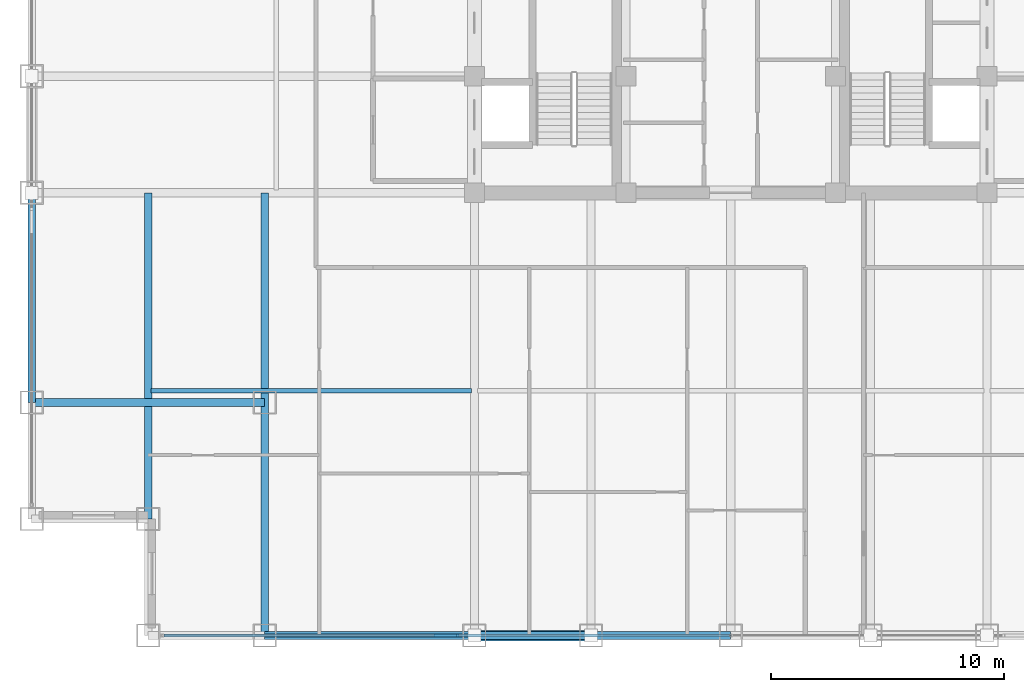
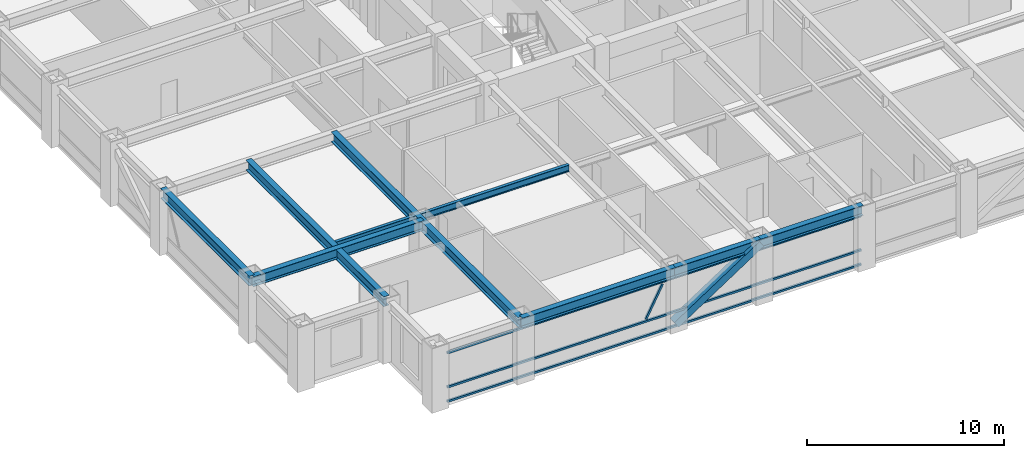
# One storey, part 3 of 24: 8 beams, 5 members, 1 element without a shape of its own.
"""IFC4 building model written with IfcOpenShell, lengths in metres."""

from ifc_helpers import new_model, si_unit, direction, frame, origin, origin_2d, place, context, subcontext, project, spatial, hollow_rectangle, i_section, extrude, source, transform, mapped, material, material_profile, profile_set, type_object, element, aggregate, save


model = new_model("IFC4")

# Units and contexts
model_context = context("Model", 3, precision=1e-05, world=origin(), true_north=direction((0.0, 1.0)))
body_context = subcontext(model_context, "Body", "Model", "MODEL_VIEW")
ifc_project = project(units=[si_unit("LENGTHUNIT", "METRE"), si_unit("AREAUNIT", "SQUARE_METRE"), si_unit("VOLUMEUNIT", "CUBIC_METRE"), si_unit("PLANEANGLEUNIT", "RADIAN"), si_unit("MASSUNIT", "GRAM", prefix="KILO")], contexts=[model_context])

# Site, building, storey
site_placement = place(None, origin())
site = spatial("IfcSite", under=ifc_project, at=site_placement, CompositionType="ELEMENT")
building_placement = place(site_placement, origin())
building = spatial("IfcBuilding", under=site, at=building_placement, Name="Khorayat Bourse Tower", CompositionType="ELEMENT")
storey_placement = place(building_placement, frame((0.0, 0.0, 219.10009765625)))
storey = spatial("IfcBuildingStorey", under=building, at=storey_placement, Name="L51", CompositionType="ELEMENT", Elevation=219.10009765625)

# Beams
ifc_material_1 = material(Name="Steel ASTM A992 Grade 50", Category="steel")
ifc_material_profile_1 = material_profile(ifc_material_1, i_section(OverallWidth=0.324951171875, OverallDepth=0.615966796875, WebThickness=0.013916015625, FlangeThickness=0.021484375, FilletRadius=0.01611328125, at=origin_2d()), Name="W610X174")
ifc_profile_set_1 = profile_set([ifc_material_profile_1], Name="Steel ASTM A992 Grade 50")
beam_type_1 = type_object("IfcBeamType", Name="BM-GIRD-610", PredefinedType="BEAM", material=ifc_profile_set_1)
shared_shape_1 = source(origin(), body_context, "Body", "SweptSolid", [
    extrude(i_section(OverallWidth=0.324951171875, OverallDepth=0.615966796875, WebThickness=0.013916015625, FlangeThickness=0.021484375, FilletRadius=0.01611328125, at=origin_2d()), origin(), (0.0, 0.0, 1.0), 19.0),
])
beam_1_placement = place(storey_placement, frame((-20.0, -30.0, 3.471923828125), z_axis=(0.0, 1.0, 0.0), x_axis=(-1.0, 0.0, 0.0)))
element("IfcBeam", 1, at=beam_1_placement, inside=storey, type_object=beam_type_1, Name="L51 BM-GIRD-610 BM-L51-CNRY-084", PredefinedType="BEAM", context=body_context, shape_type="MappedRepresentation", body=[
    mapped(shared_shape_1, transform((0.0, 0.0, 0.0), scale=1.0)),
])
shared_shape_2 = source(origin(), body_context, "Body", "SweptSolid", [
    extrude(i_section(OverallWidth=0.324951171875, OverallDepth=0.615966796875, WebThickness=0.013916015625, FlangeThickness=0.021484375, FilletRadius=0.01611328125, at=origin_2d()), origin(), (0.0, 0.0, 1.0), 10.0),
])
beam_2_placement = place(storey_placement, frame((-30.0, -20.0, 3.471923828125), z_axis=(1.0, 0.0, 0.0), x_axis=(0.0, 1.0, 0.0)))
element("IfcBeam", 2, at=beam_2_placement, inside=storey, type_object=beam_type_1, Name="L51 BM-GIRD-610 BM-L51-CNRX-093", PredefinedType="BEAM", context=body_context, shape_type="MappedRepresentation", body=[
    mapped(shared_shape_2, transform((0.0, 0.0, 0.0), scale=1.0)),
])
ifc_material_profile_2 = material_profile(ifc_material_1, i_section(OverallWidth=0.324951171875, OverallDepth=0.615966796875, WebThickness=0.013916015625, FlangeThickness=0.021484375, FilletRadius=0.01611328125, at=origin_2d()), Name="W610X174")
ifc_profile_set_2 = profile_set([ifc_material_profile_2], Name="Steel ASTM A992 Grade 50")
beam_type_2 = type_object("IfcBeamType", Name="BM-SPAN-610", PredefinedType="SPANDREL", material=ifc_profile_set_2)
shared_shape_3 = source(origin(), body_context, "Body", "SweptSolid", [
    extrude(i_section(OverallWidth=0.324951171875, OverallDepth=0.615966796875, WebThickness=0.013916015625, FlangeThickness=0.021484375, FilletRadius=0.01611328125, at=origin_2d()), origin(), (0.0, 0.0, 1.0), 9.0),
])
for number, where, z_axis, x_axis, name in (
    (3, (-20.0, -30.0, 3.471923828125), (1.0, 0.0, 0.0), (0.0, 1.0, 0.0), "L51 BM-SPAN-610 BM-L51-SPN-025"),
    (4, (-30.0, -20.0, 3.471923828125), (0.0, 1.0, 0.0), (-1.0, 0.0, 0.0), "L51 BM-SPAN-610 BM-L51-SPN-060"),
):
    element("IfcBeam", number, at=place(storey_placement, frame(where, z_axis=z_axis, x_axis=x_axis)), inside=storey, type_object=beam_type_2, Name=name, PredefinedType="SPANDREL", context=body_context, shape_type="MappedRepresentation", body=[
        mapped(shared_shape_3, transform((0.0, 0.0, 0.0), scale=1.0)),
    ])
shared_shape_4 = source(origin(), body_context, "Body", "SweptSolid", [
    extrude(i_section(OverallWidth=0.324951171875, OverallDepth=0.615966796875, WebThickness=0.013916015625, FlangeThickness=0.021484375, FilletRadius=0.01611328125, at=origin_2d()), origin(), (0.0, 0.0, 1.0), 5.0),
])
beam_3_placement = place(storey_placement, frame((-11.0, -30.0, 3.471923828125), z_axis=(1.0, 0.0, 0.0), x_axis=(0.0, 1.0, 0.0)))
element("IfcBeam", 5, at=beam_3_placement, inside=storey, type_object=beam_type_2, Name="L51 BM-SPAN-610 BM-L51-SPN-026", PredefinedType="SPANDREL", context=body_context, shape_type="MappedRepresentation", body=[
    mapped(shared_shape_4, transform((0.0, 0.0, 0.0), scale=1.0)),
])
shared_shape_5 = source(origin(), body_context, "Body", "SweptSolid", [
    extrude(i_section(OverallWidth=0.324951171875, OverallDepth=0.615966796875, WebThickness=0.013916015625, FlangeThickness=0.021484375, FilletRadius=0.01611328125, at=origin_2d()), origin(), (0.0, 0.0, 1.0), 6.0),
])
beam_4_placement = place(storey_placement, frame((-6.0, -30.0, 3.471923828125), z_axis=(1.0, 0.0, 0.0), x_axis=(0.0, 1.0, 0.0)))
element("IfcBeam", 6, at=beam_4_placement, inside=storey, type_object=beam_type_2, Name="L51 BM-SPAN-610 BM-L51-SPN-027", PredefinedType="SPANDREL", context=body_context, shape_type="MappedRepresentation", body=[
    mapped(shared_shape_5, transform((0.0, 0.0, 0.0), scale=1.0)),
])
shared_shape_6 = source(origin(), body_context, "Body", "SweptSolid", [
    extrude(i_section(OverallWidth=0.324951171875, OverallDepth=0.615966796875, WebThickness=0.013916015625, FlangeThickness=0.021484375, FilletRadius=0.01611328125, at=origin_2d()), origin(), (0.0, 0.0, 1.0), 14.0),
])
beam_5_placement = place(storey_placement, frame((-25.0, -25.0, 3.471923828125), z_axis=(0.0, 1.0, 0.0), x_axis=(-1.0, 0.0, 0.0)))
element("IfcBeam", 7, at=beam_5_placement, inside=storey, type_object=beam_type_1, Name="L51 BM-GIRD-610 BM-L51-CNRY-088", PredefinedType="BEAM", context=body_context, shape_type="MappedRepresentation", body=[
    mapped(shared_shape_6, transform((0.0, 0.0, 0.0), scale=1.0)),
])
ifc_material_profile_3 = material_profile(ifc_material_1, i_section(OverallWidth=0.180908203125, OverallDepth=0.4169921875, WebThickness=0.010986328125, FlangeThickness=0.018310546875, FilletRadius=0.011962890625, at=origin_2d()), Name="W410X85")
ifc_profile_set_3 = profile_set([ifc_material_profile_3], Name="Steel ASTM A992 Grade 50")
beam_type_3 = type_object("IfcBeamType", Name="BM-JOIST-410", PredefinedType="JOIST", material=ifc_profile_set_3)
shared_shape_7 = source(origin(), body_context, "Body", "SweptSolid", [
    extrude(i_section(OverallWidth=0.180908203125, OverallDepth=0.4169921875, WebThickness=0.010986328125, FlangeThickness=0.018310546875, FilletRadius=0.011962890625, at=origin_2d()), origin(), (0.0, 0.0, 1.0), 13.740234375),
])
beam_6_placement = place(storey_placement, frame((-24.8701171875, -19.5, 3.5712890625), z_axis=(1.0, 0.0, 0.0), x_axis=(0.0, 1.0, 0.0)))
element("IfcBeam", 8, at=beam_6_placement, inside=storey, type_object=beam_type_3, Name="L51 BM-JOIST-410 BM-L51-JSTX-096", PredefinedType="JOIST", context=body_context, shape_type="MappedRepresentation", body=[
    mapped(shared_shape_7, transform((0.0, 0.0, 0.0), scale=1.0)),
])

# Member
ifc_material_2 = material(Name="Steel EN 10025-4 S460M", Category="steel")
ifc_material_profile_4 = material_profile(ifc_material_2, hollow_rectangle(XDim=0.449951171875, YDim=0.449951171875, WallThickness=0.02490234375, at=origin_2d()), Name="HSS 450x450x25")
ifc_profile_set_4 = profile_set([ifc_material_profile_4], Name="Steel EN 10025-4 S460M")
member_type_1 = type_object("IfcMemberType", Name="MBR-TUBE-450", PredefinedType="BRACE", material=ifc_profile_set_4)
shared_shape_8 = source(origin(), body_context, "Body", "SweptSolid", [
    extrude(hollow_rectangle(XDim=0.449951171875, YDim=0.449951171875, WallThickness=0.02490234375, at=origin_2d()), origin(), (0.0, 0.0, 1.0), 5.979736328125),
])
member_1_placement = place(storey_placement, frame((-11.0, -30.0, 0.25), z_axis=(0.836160261256, 0.0, 0.548485202623), x_axis=(0.0, 1.0, 0.0)))
element("IfcMember", 9, at=member_1_placement, inside=storey, type_object=member_type_1, Name="L51 Perimeter Tube Brace 01", PredefinedType="BRACE", context=body_context, shape_type="MappedRepresentation", body=[
    mapped(shared_shape_8, transform((0.0, 0.0, 0.0), scale=1.0)),
])

# Curtain wall, members
ifc_material_3 = material(Name="Aluminium EN AW-6063 T6", Category="aluminium")
curtain_wall_type = type_object("IfcCurtainWallType", Name="CW-SYS-03", PredefinedType="NOTDEFINED", material=ifc_material_3)
curtain_wall_placement = place(storey_placement, origin())
curtain_wall = element("IfcCurtainWall", 10, at=curtain_wall_placement, inside=storey, type_object=curtain_wall_type, Name="L51 Curtain Wall CW-L51-S1", PredefinedType="NOTDEFINED")
ifc_material_profile_5 = material_profile(ifc_material_3, hollow_rectangle(XDim=0.1201171875, YDim=0.1201171875, WallThickness=0.0048828125, at=origin_2d()), Name="ALU 120x120x5")
ifc_profile_set_5 = profile_set([ifc_material_profile_5], Name="Aluminium EN AW-6063 T6")
member_type_2 = type_object("IfcMemberType", Name="CWM-DIAG-120", PredefinedType="MULLION", material=ifc_profile_set_5)
shared_shape_9 = source(origin(), body_context, "Body", "SweptSolid", [
    extrude(hollow_rectangle(XDim=0.1201171875, YDim=0.1201171875, WallThickness=0.0048828125, at=origin_2d()), origin(), (0.0, 0.0, 1.0), 2.079345703125),
])
member_2_placement = place(storey_placement, frame((-12.67919921875, -30.0, 1.08984375), z_axis=(0.465760949701, 0.0, 0.884910581773), x_axis=(0.0, 1.0, 0.0)))
member_2 = element("IfcMember", 11, at=member_2_placement, type_object=member_type_2, Name="CW-L51-S1 Faceted Diagonal Mullion 1", PredefinedType="MULLION", context=body_context, shape_type="MappedRepresentation", body=[
    mapped(shared_shape_9, transform((0.0, 0.0, 0.0), scale=1.0)),
])
ifc_material_profile_6 = material_profile(ifc_material_3, hollow_rectangle(XDim=0.1201171875, YDim=0.1201171875, WallThickness=0.0048828125, at=origin_2d()), Name="ALU 120x120x5")
ifc_profile_set_6 = profile_set([ifc_material_profile_6], Name="Aluminium EN AW-6063 T6")
member_type_3 = type_object("IfcMemberType", Name="CWT-HORZ-120", PredefinedType="USERDEFINED", material=ifc_profile_set_6)
shared_shape_10 = source(origin(), body_context, "Body", "SweptSolid", [
    extrude(hollow_rectangle(XDim=0.1201171875, YDim=0.1201171875, WallThickness=0.0048828125, at=origin_2d()), origin(), (0.0, 0.0, 1.0), 24.27001953125),
])
member_3_placement = place(storey_placement, frame((-24.330078125, -30.0, 0.059814453125), z_axis=(1.0, 0.0, 0.0), x_axis=(0.0, 1.0, 0.0)))
member_3 = element("IfcMember", 12, at=member_3_placement, type_object=member_type_3, Name="CW-L51-S1 Horizontal Transom 1-1", ObjectType="TRANSOM", PredefinedType="USERDEFINED", context=body_context, shape_type="MappedRepresentation", body=[
    mapped(shared_shape_10, transform((0.0, 0.0, 0.0), scale=1.0)),
])
member_4_placement = place(storey_placement, frame((-24.330078125, -30.0, 0.949951171875), z_axis=(1.0, 0.0, 0.0), x_axis=(0.0, 1.0, 0.0)))
member_4 = element("IfcMember", 13, at=member_4_placement, type_object=member_type_3, Name="CW-L51-S1 Horizontal Transom 1-2", ObjectType="TRANSOM", PredefinedType="USERDEFINED", context=body_context, shape_type="MappedRepresentation", body=[
    mapped(shared_shape_10, transform((0.0, 0.0, 0.0), scale=1.0)),
])
member_5_placement = place(storey_placement, frame((-24.330078125, -30.0, 3.06982421875), z_axis=(1.0, 0.0, 0.0), x_axis=(0.0, 1.0, 0.0)))
member_5 = element("IfcMember", 14, at=member_5_placement, type_object=member_type_3, Name="CW-L51-S1 Horizontal Transom 1-3", ObjectType="TRANSOM", PredefinedType="USERDEFINED", context=body_context, shape_type="MappedRepresentation", body=[
    mapped(shared_shape_10, transform((0.0, 0.0, 0.0), scale=1.0)),
])
aggregate(curtain_wall, [member_3, member_4, member_5, member_2])

save(model, "model.ifc")
